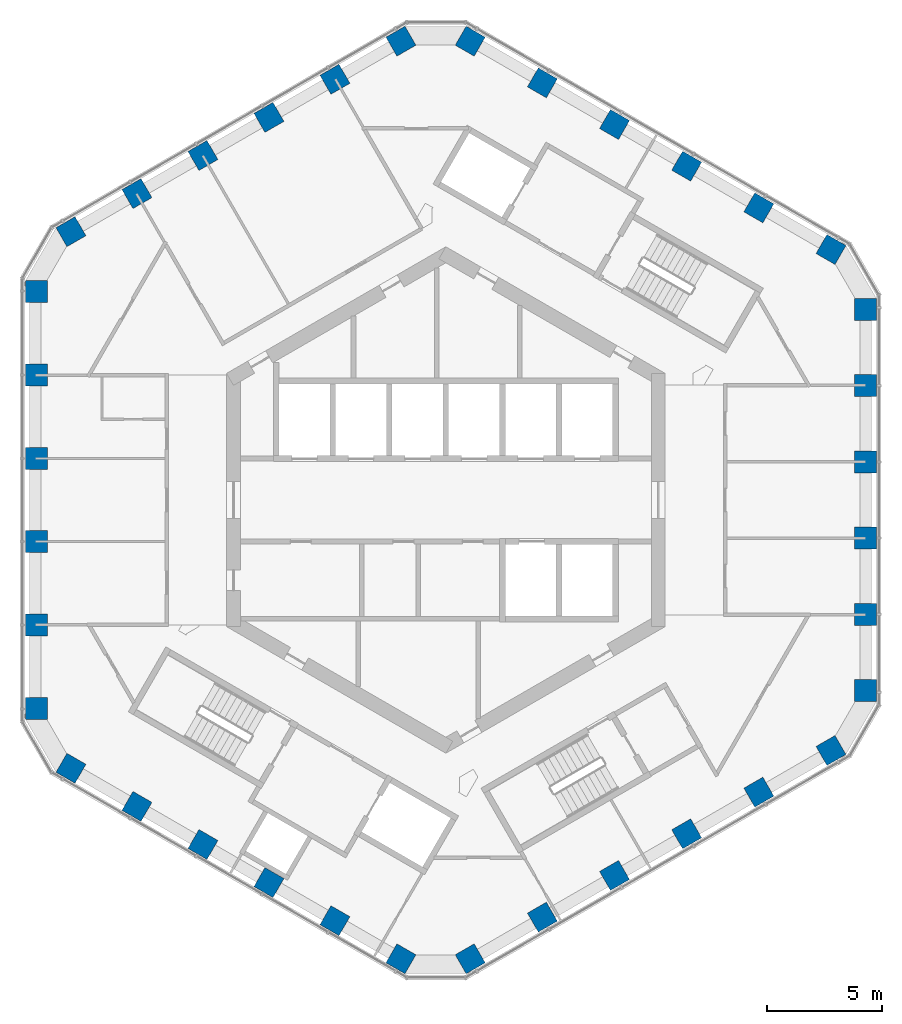
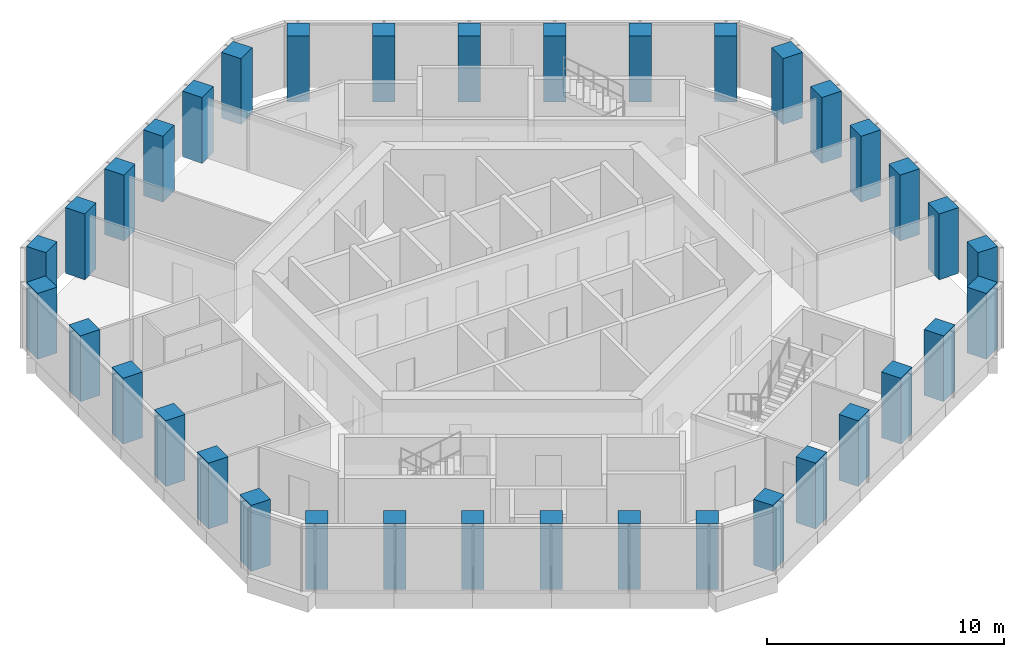
# One storey, part 1 of 18: 36 columns.
"""IFC4 building model written with IfcOpenShell, lengths in metres."""

from ifc_helpers import new_model, si_unit, direction, frame, origin, origin_2d, place, context, subcontext, project, spatial, rectangle, extrude, material, material_profile, profile_set, type_object, element, save


model = new_model("IFC4")

# Units and contexts
model_context = context("Model", 3, precision=1e-05, world=origin(), true_north=direction((0.0, 1.0)))
body_context = subcontext(model_context, "Body", "Model", "MODEL_VIEW")
ifc_project = project(units=[si_unit("LENGTHUNIT", "METRE"), si_unit("AREAUNIT", "SQUARE_METRE"), si_unit("VOLUMEUNIT", "CUBIC_METRE"), si_unit("PLANEANGLEUNIT", "RADIAN"), si_unit("MASSUNIT", "GRAM", prefix="KILO")], contexts=[model_context])

# Site, building, storey
site_placement = place(None, origin())
site = spatial("IfcSite", under=ifc_project, at=site_placement, CompositionType="ELEMENT")
building_placement = place(site_placement, origin())
building = spatial("IfcBuilding", under=site, at=building_placement, Name="Ayvan Gate Tower", CompositionType="ELEMENT")
storey_placement = place(building_placement, frame((0.0, 0.0, 176.5)))
storey = spatial("IfcBuildingStorey", under=building, at=storey_placement, Name="L47", CompositionType="ELEMENT", Elevation=176.5)

# Columns
ifc_material = material(Name="Concrete C55/67", Category="concrete")
ifc_material_profile = material_profile(ifc_material, rectangle(XDim=0.949951171875, YDim=0.949951171875, at=origin_2d()), Name="RC 950x950")
ifc_profile_set = profile_set([ifc_material_profile], Name="Concrete C55/67")
column_type = type_object("IfcColumnType", Name="Tube column RC 950x950 C55/67", PredefinedType="COLUMN", material=ifc_profile_set)
for number, where, z_axis, x_axis, name in (
    (1, (18.1865234375, -8.25390625, 0.0), (0.0, 0.0, 1.0), (1.0, 0.0, 0.0), "C-T0-0-L47"),
    (2, (18.1865234375, -4.952392578125, 0.0), (0.0, 0.0, 1.0), (1.0, 0.0, 0.0), "C-T0-1-L47"),
    (3, (18.1865234375, -1.65087890625, 0.0), (0.0, 0.0, 1.0), (1.0, 0.0, 0.0), "C-T0-2-L47"),
    (4, (18.1865234375, 1.65087890625, 0.0), (0.0, 0.0, 1.0), (1.0, 0.0, 0.0), "C-T0-3-L47"),
    (5, (18.1865234375, 4.952392578125, 0.0), (0.0, 0.0, 1.0), (1.0, 0.0, 0.0), "C-T0-4-L47"),
    (6, (18.1865234375, 8.25390625, 0.0), (0.0, 0.0, 1.0), (1.0, 0.0, 0.0), "C-T0-5-L47"),
    (7, (16.6865234375, 10.85205078125, 0.0), (0.0, 0.0, 1.0), (0.5, 0.866025403784, 0.0), "C-T1-0-L47"),
    (8, (13.560302734375, 12.656982421875, 0.0), (0.0, 0.0, 1.0), (0.5, 0.866025403784, 0.0), "C-T1-1-L47"),
    (9, (10.433837890625, 14.4619140625, 0.0), (0.0, 0.0, 1.0), (0.5, 0.866025403784, 0.0), "C-T1-2-L47"),
    (10, (7.3076171875, 16.26708984375, 0.0), (0.0, 0.0, 1.0), (0.5, 0.866025403784, 0.0), "C-T1-3-L47"),
    (11, (4.18115234375, 18.072021484375, 0.0), (0.0, 0.0, 1.0), (0.5, 0.866025403784, 0.0), "C-T1-4-L47"),
    (12, (1.054931640625, 19.876953125, 0.0), (0.0, 0.0, 1.0), (0.5, 0.866025403784, 0.0), "C-T1-5-L47"),
    (13, (-1.945068359375, 19.876953125, 0.0), (0.0, 0.0, 1.0), (-0.5, 0.866025403784, 0.0), "C-T2-0-L47"),
    (14, (-4.804443359375, 18.22607421875, 0.0), (0.0, 0.0, 1.0), (-0.5, 0.866025403784, 0.0), "C-T2-1-L47"),
    (15, (-7.66357421875, 16.575439453125, 0.0), (0.0, 0.0, 1.0), (-0.5, 0.866025403784, 0.0), "C-T2-2-L47"),
    (16, (-10.52294921875, 14.924560546875, 0.0), (0.0, 0.0, 1.0), (-0.5, 0.866025403784, 0.0), "C-T2-3-L47"),
    (17, (-13.382080078125, 13.27392578125, 0.0), (0.0, 0.0, 1.0), (-0.5, 0.866025403784, 0.0), "C-T2-4-L47"),
    (18, (-16.241455078125, 11.623046875, 0.0), (0.0, 0.0, 1.0), (-0.5, 0.866025403784, 0.0), "C-T2-5-L47"),
    (19, (-17.741455078125, 9.02490234375, 0.0), (0.0, 0.0, 1.0), (-1.0, 0.0, 0.0), "C-T3-0-L47"),
    (20, (-17.741455078125, 5.4150390625, 0.0), (0.0, 0.0, 1.0), (-1.0, 0.0, 0.0), "C-T3-1-L47"),
    (21, (-17.741455078125, 1.804931640625, 0.0), (0.0, 0.0, 1.0), (-1.0, 0.0, 0.0), "C-T3-2-L47"),
    (22, (-17.741455078125, -1.804931640625, 0.0), (0.0, 0.0, 1.0), (-1.0, 0.0, 0.0), "C-T3-3-L47"),
    (23, (-17.741455078125, -5.4150390625, 0.0), (0.0, 0.0, 1.0), (-1.0, 0.0, 0.0), "C-T3-4-L47"),
    (24, (-17.741455078125, -9.02490234375, 0.0), (0.0, 0.0, 1.0), (-1.0, 0.0, 0.0), "C-T3-5-L47"),
    (25, (-16.241455078125, -11.623046875, 0.0), (0.0, 0.0, 1.0), (-0.5, -0.866025403784, 0.0), "C-T4-0-L47"),
    (26, (-13.382080078125, -13.27392578125, 0.0), (0.0, 0.0, 1.0), (-0.5, -0.866025403784, 0.0), "C-T4-1-L47"),
    (27, (-10.52294921875, -14.924560546875, 0.0), (0.0, 0.0, 1.0), (-0.5, -0.866025403784, 0.0), "C-T4-2-L47"),
    (28, (-7.66357421875, -16.575439453125, 0.0), (0.0, 0.0, 1.0), (-0.5, -0.866025403784, 0.0), "C-T4-3-L47"),
    (29, (-4.804443359375, -18.22607421875, 0.0), (0.0, 0.0, 1.0), (-0.5, -0.866025403784, 0.0), "C-T4-4-L47"),
    (30, (-1.945068359375, -19.876953125, 0.0), (0.0, 0.0, 1.0), (-0.5, -0.866025403784, 0.0), "C-T4-5-L47"),
    (31, (1.054931640625, -19.876953125, 0.0), (0.0, 0.0, 1.0), (0.5, -0.866025403784, 0.0), "C-T5-0-L47"),
    (32, (4.18115234375, -18.072021484375, 0.0), (0.0, 0.0, 1.0), (0.5, -0.866025403784, 0.0), "C-T5-1-L47"),
    (33, (7.3076171875, -16.26708984375, 0.0), (0.0, 0.0, 1.0), (0.5, -0.866025403784, 0.0), "C-T5-2-L47"),
    (34, (10.433837890625, -14.4619140625, 0.0), (0.0, 0.0, 1.0), (0.5, -0.866025403784, 0.0), "C-T5-3-L47"),
    (35, (13.560302734375, -12.656982421875, 0.0), (0.0, 0.0, 1.0), (0.5, -0.866025403784, 0.0), "C-T5-4-L47"),
    (36, (16.6865234375, -10.85205078125, 0.0), (0.0, 0.0, 1.0), (0.5, -0.866025403784, 0.0), "C-T5-5-L47"),
):
    element("IfcColumn", number, at=place(storey_placement, frame(where, z_axis=z_axis, x_axis=x_axis)), inside=storey, type_object=column_type, Name=name, PredefinedType="COLUMN", context=body_context, shape_type="SweptSolid", body=[
        extrude(rectangle(XDim=0.949951171875, YDim=0.949951171875, at=origin_2d()), origin(), (0.0, 0.0, 1.0), 3.39990234375),
    ])

save(model, "model.ifc")
